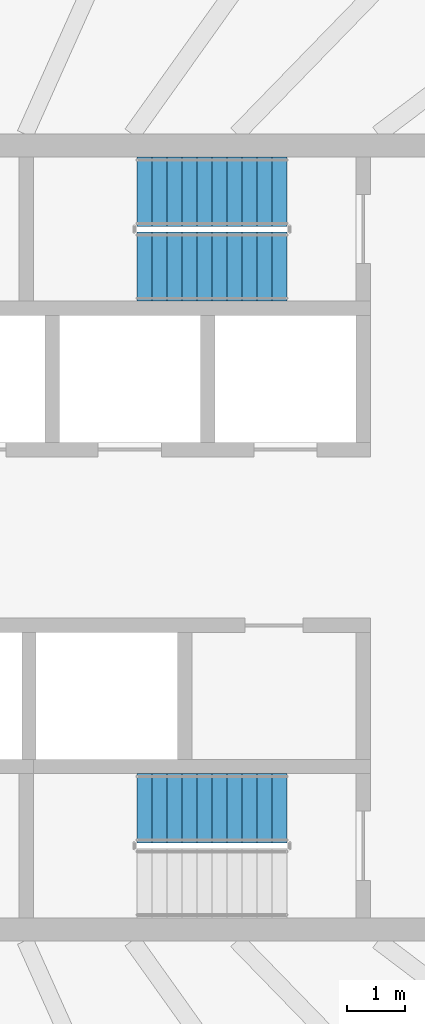
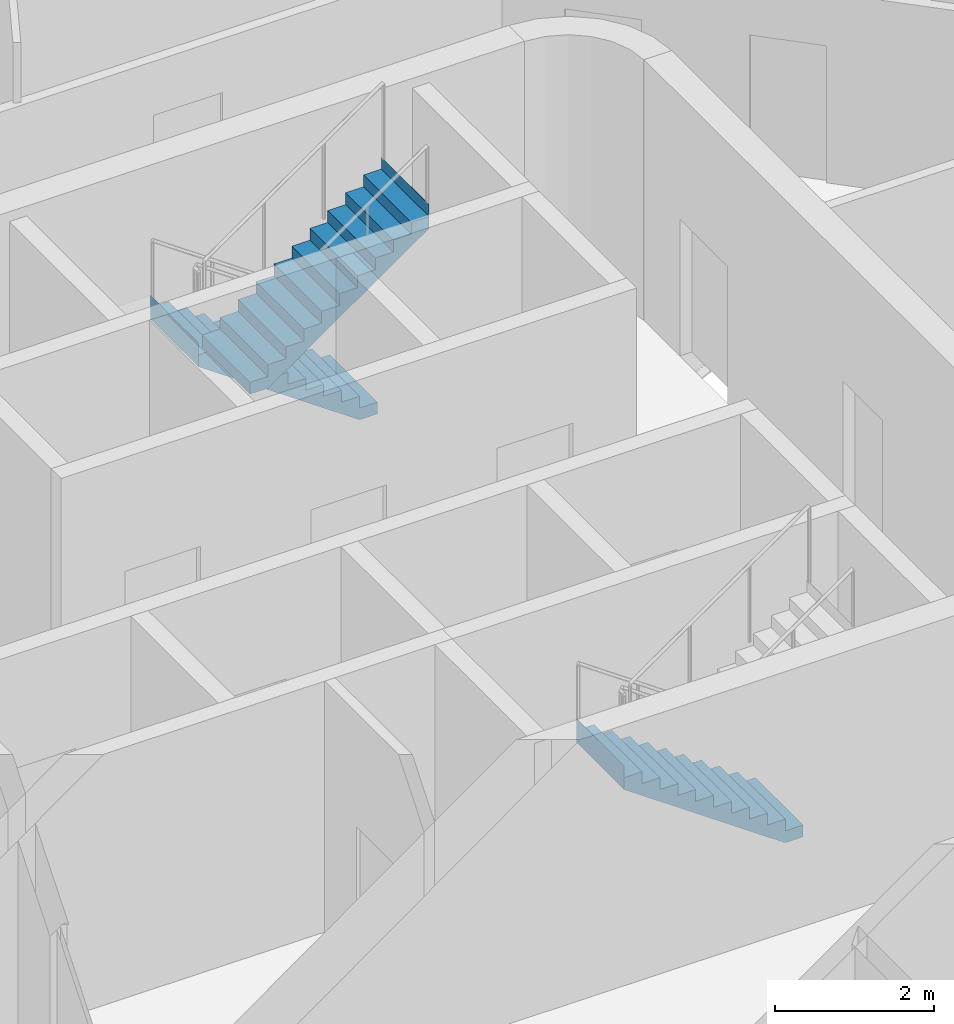
# One storey, part 15 of 21: 3 stair flights, 2 elements without a shape of their own.
"""IFC4 building model written with IfcOpenShell, lengths in metres."""

from ifc_helpers import new_model, si_unit, direction, frame, origin, place, context, subcontext, project, spatial, triangles, material, type_object, element, aggregate, save


model = new_model("IFC4")

# Units and contexts
model_context = context("Model", 3, precision=1e-05, world=origin(), true_north=direction((0.0, 1.0)))
body_context = subcontext(model_context, "Body", "Model", "MODEL_VIEW")
ifc_project = project(units=[si_unit("LENGTHUNIT", "METRE"), si_unit("AREAUNIT", "SQUARE_METRE"), si_unit("VOLUMEUNIT", "CUBIC_METRE"), si_unit("PLANEANGLEUNIT", "RADIAN"), si_unit("MASSUNIT", "GRAM", prefix="KILO")], contexts=[model_context])

# Site, building, storey
site_placement = place(None, origin())
site = spatial("IfcSite", under=ifc_project, at=site_placement, CompositionType="ELEMENT")
building_placement = place(site_placement, origin())
building = spatial("IfcBuilding", under=site, at=building_placement, Name="Sahrelin Media Tower", CompositionType="ELEMENT")
storey_placement = place(building_placement, frame((0.0, 0.0, 263.0)))
storey = spatial("IfcBuildingStorey", under=building, at=storey_placement, Name="L57", CompositionType="ELEMENT", Elevation=263.0)

# Stair, stair flights
ifc_material = material(Name="Concrete C40/50", Category="concrete")
stair_type = type_object("IfcStairType", Name="Exit stair 1200", PredefinedType="HALF_TURN_STAIR", material=ifc_material)
placement = place(storey_placement, origin())
stair_1 = element("IfcStair", 1, at=placement, inside=storey, type_object=stair_type, Name="L57 Exit stair ST3", PredefinedType="HALF_TURN_STAIR")
stair_flight_type = type_object("IfcStairFlightType", Name="Stair flight 1200", PredefinedType="STRAIGHT", material=ifc_material)
stair_flight_1_placement = place(storey_placement, frame((7.675048828125, 6.0, 0.0), z_axis=(0.0, 0.0, 1.0), x_axis=(-1.0, 0.0, 0.0)))
stair_flight_1 = element("IfcStairFlight", 2, at=stair_flight_1_placement, type_object=stair_flight_type, Name="ST3 flight 1", NumberOfRisers=11, NumberOfTreads=10, PredefinedType="STRAIGHT", RiserHeight=0.181818182, TreadLength=0.26, context=body_context, shape_type="Tessellation", body=[
    triangles([(0.261474609375, 0.60009765625, 0.0), (0.261474609375, 0.300048828125, 0.0), (0.261474609375, 0.0, 0.0), (0.261474609375, -0.300048828125, 0.0), (0.261474609375, -0.60009765625, 0.0), (2.60009765625, 0.60009765625, 1.63525390625), (2.60009765625, 0.300048828125, 1.63525390625), (2.60009765625, 0.0, 1.63525390625), (2.60009765625, -0.300048828125, 1.63525390625), (2.60009765625, -0.60009765625, 1.63525390625), (2.60009765625, 0.60009765625, 2.0), (2.60009765625, 0.300048828125, 2.0), (2.60009765625, 0.0, 2.0), (2.60009765625, -0.300048828125, 2.0), (2.60009765625, -0.60009765625, 2.0), (2.597900390625, 0.60009765625, 2.0), (2.597900390625, 0.300048828125, 2.0), (2.597900390625, 0.0, 2.0), (2.597900390625, -0.300048828125, 2.0), (2.597900390625, -0.60009765625, 2.0), (2.597900390625, 0.60009765625, 1.818115234375), (2.597900390625, 0.300048828125, 1.818115234375), (2.597900390625, 0.0, 1.818115234375), (2.597900390625, -0.300048828125, 1.818115234375), (2.597900390625, -0.60009765625, 1.818115234375), (2.340087890625, 0.60009765625, 1.818115234375), (2.340087890625, 0.300048828125, 1.818115234375), (2.340087890625, 0.0, 1.818115234375), (2.340087890625, -0.300048828125, 1.818115234375), (2.340087890625, -0.60009765625, 1.818115234375), (2.340087890625, 0.60009765625, 1.636474609375), (2.340087890625, 0.300048828125, 1.636474609375), (2.340087890625, 0.0, 1.636474609375), (2.340087890625, -0.300048828125, 1.636474609375), (2.340087890625, -0.60009765625, 1.636474609375), (2.080078125, 0.60009765625, 1.636474609375), (2.080078125, 0.300048828125, 1.636474609375), (2.080078125, 0.0, 1.636474609375), (2.080078125, -0.300048828125, 1.636474609375), (2.080078125, -0.60009765625, 1.636474609375), (2.080078125, 0.60009765625, 1.45458984375), (2.080078125, 0.300048828125, 1.45458984375), (2.080078125, 0.0, 1.45458984375), (2.080078125, -0.300048828125, 1.45458984375), (2.080078125, -0.60009765625, 1.45458984375), (1.820068359375, 0.60009765625, 1.45458984375), (1.820068359375, 0.300048828125, 1.45458984375), (1.820068359375, 0.0, 1.45458984375), (1.820068359375, -0.300048828125, 1.45458984375), (1.820068359375, -0.60009765625, 1.45458984375), (1.820068359375, 0.60009765625, 1.272705078125), (1.820068359375, 0.300048828125, 1.272705078125), (1.820068359375, 0.0, 1.272705078125), (1.820068359375, -0.300048828125, 1.272705078125), (1.820068359375, -0.60009765625, 1.272705078125), (1.56005859375, 0.60009765625, 1.272705078125), (1.56005859375, 0.300048828125, 1.272705078125), (1.56005859375, 0.0, 1.272705078125), (1.56005859375, -0.300048828125, 1.272705078125), (1.56005859375, -0.60009765625, 1.272705078125), (1.56005859375, 0.60009765625, 1.0908203125), (1.56005859375, 0.300048828125, 1.0908203125), (1.56005859375, 0.0, 1.0908203125), (1.56005859375, -0.300048828125, 1.0908203125), (1.56005859375, -0.60009765625, 1.0908203125), (1.300048828125, 0.60009765625, 1.0908203125), (1.300048828125, 0.300048828125, 1.0908203125), (1.300048828125, 0.0, 1.0908203125), (1.300048828125, -0.300048828125, 1.0908203125), (1.300048828125, -0.60009765625, 1.0908203125), (1.300048828125, 0.60009765625, 0.9091796875), (1.300048828125, 0.300048828125, 0.9091796875), (1.300048828125, 0.0, 0.9091796875), (1.300048828125, -0.300048828125, 0.9091796875), (1.300048828125, -0.60009765625, 0.9091796875), (1.0400390625, 0.60009765625, 0.9091796875), (1.0400390625, 0.300048828125, 0.9091796875), (1.0400390625, 0.0, 0.9091796875), (1.0400390625, -0.300048828125, 0.9091796875), (1.0400390625, -0.60009765625, 0.9091796875), (1.0400390625, 0.60009765625, 0.727294921875), (1.0400390625, 0.300048828125, 0.727294921875), (1.0400390625, 0.0, 0.727294921875), (1.0400390625, -0.300048828125, 0.727294921875), (1.0400390625, -0.60009765625, 0.727294921875), (0.780029296875, 0.60009765625, 0.727294921875), (0.780029296875, 0.300048828125, 0.727294921875), (0.780029296875, 0.0, 0.727294921875), (0.780029296875, -0.300048828125, 0.727294921875), (0.780029296875, -0.60009765625, 0.727294921875), (0.780029296875, 0.60009765625, 0.54541015625), (0.780029296875, 0.300048828125, 0.54541015625), (0.780029296875, 0.0, 0.54541015625), (0.780029296875, -0.300048828125, 0.54541015625), (0.780029296875, -0.60009765625, 0.54541015625), (0.52001953125, 0.60009765625, 0.54541015625), (0.52001953125, 0.300048828125, 0.54541015625), (0.52001953125, 0.0, 0.54541015625), (0.52001953125, -0.300048828125, 0.54541015625), (0.52001953125, -0.60009765625, 0.54541015625), (0.52001953125, 0.60009765625, 0.363525390625), (0.52001953125, 0.300048828125, 0.363525390625), (0.52001953125, 0.0, 0.363525390625), (0.52001953125, -0.300048828125, 0.363525390625), (0.52001953125, -0.60009765625, 0.363525390625), (0.260009765625, 0.60009765625, 0.363525390625), (0.260009765625, 0.300048828125, 0.363525390625), (0.260009765625, 0.0, 0.363525390625), (0.260009765625, -0.300048828125, 0.363525390625), (0.260009765625, -0.60009765625, 0.363525390625), (0.260009765625, 0.60009765625, 0.181884765625), (0.260009765625, 0.300048828125, 0.181884765625), (0.260009765625, 0.0, 0.181884765625), (0.260009765625, -0.300048828125, 0.181884765625), (0.260009765625, -0.60009765625, 0.181884765625), (0.0, 0.60009765625, 0.181884765625), (0.0, 0.300048828125, 0.181884765625), (0.0, 0.0, 0.181884765625), (0.0, -0.300048828125, 0.181884765625), (0.0, -0.60009765625, 0.181884765625), (0.0, 0.60009765625, 0.0), (0.0, 0.300048828125, 0.0), (0.0, 0.0, 0.0), (0.0, -0.300048828125, 0.0), (0.0, -0.60009765625, 0.0)], [[1, 6, 7], [1, 7, 2], [2, 7, 8], [2, 8, 3], [3, 8, 9], [3, 9, 4], [4, 9, 10], [4, 10, 5], [6, 11, 12], [6, 12, 7], [7, 12, 13], [7, 13, 8], [8, 13, 14], [8, 14, 9], [9, 14, 15], [9, 15, 10], [11, 16, 17], [11, 17, 12], [12, 17, 18], [12, 18, 13], [13, 18, 19], [13, 19, 14], [14, 19, 20], [14, 20, 15], [16, 21, 22], [16, 22, 17], [17, 22, 23], [17, 23, 18], [18, 23, 24], [18, 24, 19], [19, 24, 25], [19, 25, 20], [21, 26, 27], [21, 27, 22], [22, 27, 28], [22, 28, 23], [23, 28, 29], [23, 29, 24], [24, 29, 30], [24, 30, 25], [26, 31, 32], [26, 32, 27], [27, 32, 33], [27, 33, 28], [28, 33, 34], [28, 34, 29], [29, 34, 35], [29, 35, 30], [31, 36, 37], [31, 37, 32], [32, 37, 38], [32, 38, 33], [33, 38, 39], [33, 39, 34], [34, 39, 40], [34, 40, 35], [36, 41, 42], [36, 42, 37], [37, 42, 43], [37, 43, 38], [38, 43, 44], [38, 44, 39], [39, 44, 45], [39, 45, 40], [41, 46, 47], [41, 47, 42], [42, 47, 48], [42, 48, 43], [43, 48, 49], [43, 49, 44], [44, 49, 50], [44, 50, 45], [46, 51, 52], [46, 52, 47], [47, 52, 53], [47, 53, 48], [48, 53, 54], [48, 54, 49], [49, 54, 55], [49, 55, 50], [51, 56, 57], [51, 57, 52], [52, 57, 58], [52, 58, 53], [53, 58, 59], [53, 59, 54], [54, 59, 60], [54, 60, 55], [56, 61, 62], [56, 62, 57], [57, 62, 63], [57, 63, 58], [58, 63, 64], [58, 64, 59], [59, 64, 65], [59, 65, 60], [61, 66, 67], [61, 67, 62], [62, 67, 68], [62, 68, 63], [63, 68, 69], [63, 69, 64], [64, 69, 70], [64, 70, 65], [66, 71, 72], [66, 72, 67], [67, 72, 73], [67, 73, 68], [68, 73, 74], [68, 74, 69], [69, 74, 75], [69, 75, 70], [71, 76, 77], [71, 77, 72], [72, 77, 78], [72, 78, 73], [73, 78, 79], [73, 79, 74], [74, 79, 80], [74, 80, 75], [76, 81, 82], [76, 82, 77], [77, 82, 83], [77, 83, 78], [78, 83, 84], [78, 84, 79], [79, 84, 85], [79, 85, 80], [81, 86, 87], [81, 87, 82], [82, 87, 88], [82, 88, 83], [83, 88, 89], [83, 89, 84], [84, 89, 90], [84, 90, 85], [86, 91, 92], [86, 92, 87], [87, 92, 93], [87, 93, 88], [88, 93, 94], [88, 94, 89], [89, 94, 95], [89, 95, 90], [91, 96, 97], [91, 97, 92], [92, 97, 98], [92, 98, 93], [93, 98, 99], [93, 99, 94], [94, 99, 100], [94, 100, 95], [96, 101, 102], [96, 102, 97], [97, 102, 103], [97, 103, 98], [98, 103, 104], [98, 104, 99], [99, 104, 105], [99, 105, 100], [101, 106, 107], [101, 107, 102], [102, 107, 108], [102, 108, 103], [103, 108, 109], [103, 109, 104], [104, 109, 110], [104, 110, 105], [106, 111, 112], [106, 112, 107], [107, 112, 113], [107, 113, 108], [108, 113, 114], [108, 114, 109], [109, 114, 115], [109, 115, 110], [111, 116, 117], [111, 117, 112], [112, 117, 118], [112, 118, 113], [113, 118, 119], [113, 119, 114], [114, 119, 120], [114, 120, 115], [116, 121, 122], [116, 122, 117], [117, 122, 123], [117, 123, 118], [118, 123, 124], [118, 124, 119], [119, 124, 125], [119, 125, 120], [121, 1, 2], [121, 2, 122], [122, 2, 3], [122, 3, 123], [123, 3, 4], [123, 4, 124], [124, 4, 5], [124, 5, 125], [115, 120, 125], [111, 121, 116], [115, 105, 110], [111, 106, 101], [105, 95, 100], [101, 96, 91], [95, 85, 90], [91, 86, 81], [85, 75, 80], [81, 76, 71], [75, 65, 70], [71, 66, 61], [65, 55, 60], [61, 56, 51], [55, 45, 50], [51, 46, 41], [45, 35, 40], [41, 36, 31], [35, 25, 30], [31, 26, 21], [25, 15, 20], [21, 16, 11], [125, 5, 115], [121, 111, 1], [25, 10, 15], [21, 11, 6], [105, 115, 5], [101, 1, 111], [35, 10, 25], [31, 21, 6], [95, 105, 5], [91, 1, 101], [45, 10, 35], [41, 31, 6], [85, 95, 5], [81, 1, 91], [55, 10, 45], [51, 41, 6], [75, 85, 5], [71, 1, 81], [65, 10, 55], [61, 51, 6], [5, 10, 75], [1, 71, 6], [75, 10, 65], [71, 61, 6]], closed=True),
])
stair_flight_2_placement = place(storey_placement, frame((5.074951171875, 4.699951171875, 2.0), z_axis=(0.0, 0.0, 1.0), x_axis=(1.0, 0.0, 0.0)))
stair_flight_2 = element("IfcStairFlight", 3, at=stair_flight_2_placement, type_object=stair_flight_type, Name="ST3 flight 2", NumberOfRisers=11, NumberOfTreads=10, PredefinedType="STRAIGHT", RiserHeight=0.181818182, TreadLength=0.26, context=body_context, shape_type="Tessellation", body=[
    triangles([(0.261474609375, 0.60009765625, 0.0), (0.261474609375, 0.300048828125, 0.0), (0.261474609375, 0.0, 0.0), (0.261474609375, -0.300048828125, 0.0), (0.261474609375, -0.60009765625, 0.0), (2.60009765625, 0.60009765625, 1.63525390625), (2.60009765625, 0.300048828125, 1.63525390625), (2.60009765625, 0.0, 1.63525390625), (2.60009765625, -0.300048828125, 1.63525390625), (2.60009765625, -0.60009765625, 1.63525390625), (2.60009765625, 0.60009765625, 2.0), (2.60009765625, 0.300048828125, 2.0), (2.60009765625, 0.0, 2.0), (2.60009765625, -0.300048828125, 2.0), (2.60009765625, -0.60009765625, 2.0), (2.597900390625, 0.60009765625, 2.0), (2.597900390625, 0.300048828125, 2.0), (2.597900390625, 0.0, 2.0), (2.597900390625, -0.300048828125, 2.0), (2.597900390625, -0.60009765625, 2.0), (2.597900390625, 0.60009765625, 1.818115234375), (2.597900390625, 0.300048828125, 1.818115234375), (2.597900390625, 0.0, 1.818115234375), (2.597900390625, -0.300048828125, 1.818115234375), (2.597900390625, -0.60009765625, 1.818115234375), (2.340087890625, 0.60009765625, 1.818115234375), (2.340087890625, 0.300048828125, 1.818115234375), (2.340087890625, 0.0, 1.818115234375), (2.340087890625, -0.300048828125, 1.818115234375), (2.340087890625, -0.60009765625, 1.818115234375), (2.340087890625, 0.60009765625, 1.636474609375), (2.340087890625, 0.300048828125, 1.636474609375), (2.340087890625, 0.0, 1.636474609375), (2.340087890625, -0.300048828125, 1.636474609375), (2.340087890625, -0.60009765625, 1.636474609375), (2.080078125, 0.60009765625, 1.636474609375), (2.080078125, 0.300048828125, 1.636474609375), (2.080078125, 0.0, 1.636474609375), (2.080078125, -0.300048828125, 1.636474609375), (2.080078125, -0.60009765625, 1.636474609375), (2.080078125, 0.60009765625, 1.45458984375), (2.080078125, 0.300048828125, 1.45458984375), (2.080078125, 0.0, 1.45458984375), (2.080078125, -0.300048828125, 1.45458984375), (2.080078125, -0.60009765625, 1.45458984375), (1.820068359375, 0.60009765625, 1.45458984375), (1.820068359375, 0.300048828125, 1.45458984375), (1.820068359375, 0.0, 1.45458984375), (1.820068359375, -0.300048828125, 1.45458984375), (1.820068359375, -0.60009765625, 1.45458984375), (1.820068359375, 0.60009765625, 1.272705078125), (1.820068359375, 0.300048828125, 1.272705078125), (1.820068359375, 0.0, 1.272705078125), (1.820068359375, -0.300048828125, 1.272705078125), (1.820068359375, -0.60009765625, 1.272705078125), (1.56005859375, 0.60009765625, 1.272705078125), (1.56005859375, 0.300048828125, 1.272705078125), (1.56005859375, 0.0, 1.272705078125), (1.56005859375, -0.300048828125, 1.272705078125), (1.56005859375, -0.60009765625, 1.272705078125), (1.56005859375, 0.60009765625, 1.0908203125), (1.56005859375, 0.300048828125, 1.0908203125), (1.56005859375, 0.0, 1.0908203125), (1.56005859375, -0.300048828125, 1.0908203125), (1.56005859375, -0.60009765625, 1.0908203125), (1.300048828125, 0.60009765625, 1.0908203125), (1.300048828125, 0.300048828125, 1.0908203125), (1.300048828125, 0.0, 1.0908203125), (1.300048828125, -0.300048828125, 1.0908203125), (1.300048828125, -0.60009765625, 1.0908203125), (1.300048828125, 0.60009765625, 0.9091796875), (1.300048828125, 0.300048828125, 0.9091796875), (1.300048828125, 0.0, 0.9091796875), (1.300048828125, -0.300048828125, 0.9091796875), (1.300048828125, -0.60009765625, 0.9091796875), (1.0400390625, 0.60009765625, 0.9091796875), (1.0400390625, 0.300048828125, 0.9091796875), (1.0400390625, 0.0, 0.9091796875), (1.0400390625, -0.300048828125, 0.9091796875), (1.0400390625, -0.60009765625, 0.9091796875), (1.0400390625, 0.60009765625, 0.727294921875), (1.0400390625, 0.300048828125, 0.727294921875), (1.0400390625, 0.0, 0.727294921875), (1.0400390625, -0.300048828125, 0.727294921875), (1.0400390625, -0.60009765625, 0.727294921875), (0.780029296875, 0.60009765625, 0.727294921875), (0.780029296875, 0.300048828125, 0.727294921875), (0.780029296875, 0.0, 0.727294921875), (0.780029296875, -0.300048828125, 0.727294921875), (0.780029296875, -0.60009765625, 0.727294921875), (0.780029296875, 0.60009765625, 0.54541015625), (0.780029296875, 0.300048828125, 0.54541015625), (0.780029296875, 0.0, 0.54541015625), (0.780029296875, -0.300048828125, 0.54541015625), (0.780029296875, -0.60009765625, 0.54541015625), (0.52001953125, 0.60009765625, 0.54541015625), (0.52001953125, 0.300048828125, 0.54541015625), (0.52001953125, 0.0, 0.54541015625), (0.52001953125, -0.300048828125, 0.54541015625), (0.52001953125, -0.60009765625, 0.54541015625), (0.52001953125, 0.60009765625, 0.363525390625), (0.52001953125, 0.300048828125, 0.363525390625), (0.52001953125, 0.0, 0.363525390625), (0.52001953125, -0.300048828125, 0.363525390625), (0.52001953125, -0.60009765625, 0.363525390625), (0.260009765625, 0.60009765625, 0.363525390625), (0.260009765625, 0.300048828125, 0.363525390625), (0.260009765625, 0.0, 0.363525390625), (0.260009765625, -0.300048828125, 0.363525390625), (0.260009765625, -0.60009765625, 0.363525390625), (0.260009765625, 0.60009765625, 0.181884765625), (0.260009765625, 0.300048828125, 0.181884765625), (0.260009765625, 0.0, 0.181884765625), (0.260009765625, -0.300048828125, 0.181884765625), (0.260009765625, -0.60009765625, 0.181884765625), (0.0, 0.60009765625, 0.181884765625), (0.0, 0.300048828125, 0.181884765625), (0.0, 0.0, 0.181884765625), (0.0, -0.300048828125, 0.181884765625), (0.0, -0.60009765625, 0.181884765625), (0.0, 0.60009765625, 0.0), (0.0, 0.300048828125, 0.0), (0.0, 0.0, 0.0), (0.0, -0.300048828125, 0.0), (0.0, -0.60009765625, 0.0)], [[1, 6, 7], [1, 7, 2], [2, 7, 8], [2, 8, 3], [3, 8, 9], [3, 9, 4], [4, 9, 10], [4, 10, 5], [6, 11, 12], [6, 12, 7], [7, 12, 13], [7, 13, 8], [8, 13, 14], [8, 14, 9], [9, 14, 15], [9, 15, 10], [11, 16, 17], [11, 17, 12], [12, 17, 18], [12, 18, 13], [13, 18, 19], [13, 19, 14], [14, 19, 20], [14, 20, 15], [16, 21, 22], [16, 22, 17], [17, 22, 23], [17, 23, 18], [18, 23, 24], [18, 24, 19], [19, 24, 25], [19, 25, 20], [21, 26, 27], [21, 27, 22], [22, 27, 28], [22, 28, 23], [23, 28, 29], [23, 29, 24], [24, 29, 30], [24, 30, 25], [26, 31, 32], [26, 32, 27], [27, 32, 33], [27, 33, 28], [28, 33, 34], [28, 34, 29], [29, 34, 35], [29, 35, 30], [31, 36, 37], [31, 37, 32], [32, 37, 38], [32, 38, 33], [33, 38, 39], [33, 39, 34], [34, 39, 40], [34, 40, 35], [36, 41, 42], [36, 42, 37], [37, 42, 43], [37, 43, 38], [38, 43, 44], [38, 44, 39], [39, 44, 45], [39, 45, 40], [41, 46, 47], [41, 47, 42], [42, 47, 48], [42, 48, 43], [43, 48, 49], [43, 49, 44], [44, 49, 50], [44, 50, 45], [46, 51, 52], [46, 52, 47], [47, 52, 53], [47, 53, 48], [48, 53, 54], [48, 54, 49], [49, 54, 55], [49, 55, 50], [51, 56, 57], [51, 57, 52], [52, 57, 58], [52, 58, 53], [53, 58, 59], [53, 59, 54], [54, 59, 60], [54, 60, 55], [56, 61, 62], [56, 62, 57], [57, 62, 63], [57, 63, 58], [58, 63, 64], [58, 64, 59], [59, 64, 65], [59, 65, 60], [61, 66, 67], [61, 67, 62], [62, 67, 68], [62, 68, 63], [63, 68, 69], [63, 69, 64], [64, 69, 70], [64, 70, 65], [66, 71, 72], [66, 72, 67], [67, 72, 73], [67, 73, 68], [68, 73, 74], [68, 74, 69], [69, 74, 75], [69, 75, 70], [71, 76, 77], [71, 77, 72], [72, 77, 78], [72, 78, 73], [73, 78, 79], [73, 79, 74], [74, 79, 80], [74, 80, 75], [76, 81, 82], [76, 82, 77], [77, 82, 83], [77, 83, 78], [78, 83, 84], [78, 84, 79], [79, 84, 85], [79, 85, 80], [81, 86, 87], [81, 87, 82], [82, 87, 88], [82, 88, 83], [83, 88, 89], [83, 89, 84], [84, 89, 90], [84, 90, 85], [86, 91, 92], [86, 92, 87], [87, 92, 93], [87, 93, 88], [88, 93, 94], [88, 94, 89], [89, 94, 95], [89, 95, 90], [91, 96, 97], [91, 97, 92], [92, 97, 98], [92, 98, 93], [93, 98, 99], [93, 99, 94], [94, 99, 100], [94, 100, 95], [96, 101, 102], [96, 102, 97], [97, 102, 103], [97, 103, 98], [98, 103, 104], [98, 104, 99], [99, 104, 105], [99, 105, 100], [101, 106, 107], [101, 107, 102], [102, 107, 108], [102, 108, 103], [103, 108, 109], [103, 109, 104], [104, 109, 110], [104, 110, 105], [106, 111, 112], [106, 112, 107], [107, 112, 113], [107, 113, 108], [108, 113, 114], [108, 114, 109], [109, 114, 115], [109, 115, 110], [111, 116, 117], [111, 117, 112], [112, 117, 118], [112, 118, 113], [113, 118, 119], [113, 119, 114], [114, 119, 120], [114, 120, 115], [116, 121, 122], [116, 122, 117], [117, 122, 123], [117, 123, 118], [118, 123, 124], [118, 124, 119], [119, 124, 125], [119, 125, 120], [121, 1, 2], [121, 2, 122], [122, 2, 3], [122, 3, 123], [123, 3, 4], [123, 4, 124], [124, 4, 5], [124, 5, 125], [115, 120, 125], [111, 121, 116], [115, 105, 110], [111, 106, 101], [105, 95, 100], [101, 96, 91], [95, 85, 90], [91, 86, 81], [85, 75, 80], [81, 76, 71], [75, 65, 70], [71, 66, 61], [65, 55, 60], [61, 56, 51], [55, 45, 50], [51, 46, 41], [45, 35, 40], [41, 36, 31], [35, 25, 30], [31, 26, 21], [25, 15, 20], [21, 16, 11], [125, 5, 115], [121, 111, 1], [25, 10, 15], [21, 11, 6], [105, 115, 5], [101, 1, 111], [35, 10, 25], [31, 21, 6], [95, 105, 5], [91, 1, 101], [45, 10, 35], [41, 31, 6], [85, 95, 5], [81, 1, 91], [55, 10, 45], [51, 41, 6], [75, 85, 5], [71, 1, 81], [65, 10, 55], [61, 51, 6], [5, 10, 75], [1, 71, 6], [75, 10, 65], [71, 61, 6]], closed=True),
])
aggregate(stair_1, [stair_flight_1, stair_flight_2])

# Stair, stair flight
stair_2 = element("IfcStair", 4, at=placement, inside=storey, type_object=stair_type, Name="L57 Exit stair ST2", PredefinedType="HALF_TURN_STAIR")
stair_flight_3_placement = place(storey_placement, frame((7.675048828125, -4.699951171875, 0.0), z_axis=(0.0, 0.0, 1.0), x_axis=(-1.0, 0.0, 0.0)))
stair_flight_3 = element("IfcStairFlight", 5, at=stair_flight_3_placement, type_object=stair_flight_type, Name="ST2 flight 1", NumberOfRisers=11, NumberOfTreads=10, PredefinedType="STRAIGHT", RiserHeight=0.181818182, TreadLength=0.26, context=body_context, shape_type="Tessellation", body=[
    triangles([(0.261474609375, 0.60009765625, 0.0), (0.261474609375, 0.300048828125, 0.0), (0.261474609375, 0.0, 0.0), (0.261474609375, -0.300048828125, 0.0), (0.261474609375, -0.60009765625, 0.0), (2.60009765625, 0.60009765625, 1.63525390625), (2.60009765625, 0.300048828125, 1.63525390625), (2.60009765625, 0.0, 1.63525390625), (2.60009765625, -0.300048828125, 1.63525390625), (2.60009765625, -0.60009765625, 1.63525390625), (2.60009765625, 0.60009765625, 2.0), (2.60009765625, 0.300048828125, 2.0), (2.60009765625, 0.0, 2.0), (2.60009765625, -0.300048828125, 2.0), (2.60009765625, -0.60009765625, 2.0), (2.597900390625, 0.60009765625, 2.0), (2.597900390625, 0.300048828125, 2.0), (2.597900390625, 0.0, 2.0), (2.597900390625, -0.300048828125, 2.0), (2.597900390625, -0.60009765625, 2.0), (2.597900390625, 0.60009765625, 1.818115234375), (2.597900390625, 0.300048828125, 1.818115234375), (2.597900390625, 0.0, 1.818115234375), (2.597900390625, -0.300048828125, 1.818115234375), (2.597900390625, -0.60009765625, 1.818115234375), (2.340087890625, 0.60009765625, 1.818115234375), (2.340087890625, 0.300048828125, 1.818115234375), (2.340087890625, 0.0, 1.818115234375), (2.340087890625, -0.300048828125, 1.818115234375), (2.340087890625, -0.60009765625, 1.818115234375), (2.340087890625, 0.60009765625, 1.636474609375), (2.340087890625, 0.300048828125, 1.636474609375), (2.340087890625, 0.0, 1.636474609375), (2.340087890625, -0.300048828125, 1.636474609375), (2.340087890625, -0.60009765625, 1.636474609375), (2.080078125, 0.60009765625, 1.636474609375), (2.080078125, 0.300048828125, 1.636474609375), (2.080078125, 0.0, 1.636474609375), (2.080078125, -0.300048828125, 1.636474609375), (2.080078125, -0.60009765625, 1.636474609375), (2.080078125, 0.60009765625, 1.45458984375), (2.080078125, 0.300048828125, 1.45458984375), (2.080078125, 0.0, 1.45458984375), (2.080078125, -0.300048828125, 1.45458984375), (2.080078125, -0.60009765625, 1.45458984375), (1.820068359375, 0.60009765625, 1.45458984375), (1.820068359375, 0.300048828125, 1.45458984375), (1.820068359375, 0.0, 1.45458984375), (1.820068359375, -0.300048828125, 1.45458984375), (1.820068359375, -0.60009765625, 1.45458984375), (1.820068359375, 0.60009765625, 1.272705078125), (1.820068359375, 0.300048828125, 1.272705078125), (1.820068359375, 0.0, 1.272705078125), (1.820068359375, -0.300048828125, 1.272705078125), (1.820068359375, -0.60009765625, 1.272705078125), (1.56005859375, 0.60009765625, 1.272705078125), (1.56005859375, 0.300048828125, 1.272705078125), (1.56005859375, 0.0, 1.272705078125), (1.56005859375, -0.300048828125, 1.272705078125), (1.56005859375, -0.60009765625, 1.272705078125), (1.56005859375, 0.60009765625, 1.0908203125), (1.56005859375, 0.300048828125, 1.0908203125), (1.56005859375, 0.0, 1.0908203125), (1.56005859375, -0.300048828125, 1.0908203125), (1.56005859375, -0.60009765625, 1.0908203125), (1.300048828125, 0.60009765625, 1.0908203125), (1.300048828125, 0.300048828125, 1.0908203125), (1.300048828125, 0.0, 1.0908203125), (1.300048828125, -0.300048828125, 1.0908203125), (1.300048828125, -0.60009765625, 1.0908203125), (1.300048828125, 0.60009765625, 0.9091796875), (1.300048828125, 0.300048828125, 0.9091796875), (1.300048828125, 0.0, 0.9091796875), (1.300048828125, -0.300048828125, 0.9091796875), (1.300048828125, -0.60009765625, 0.9091796875), (1.0400390625, 0.60009765625, 0.9091796875), (1.0400390625, 0.300048828125, 0.9091796875), (1.0400390625, 0.0, 0.9091796875), (1.0400390625, -0.300048828125, 0.9091796875), (1.0400390625, -0.60009765625, 0.9091796875), (1.0400390625, 0.60009765625, 0.727294921875), (1.0400390625, 0.300048828125, 0.727294921875), (1.0400390625, 0.0, 0.727294921875), (1.0400390625, -0.300048828125, 0.727294921875), (1.0400390625, -0.60009765625, 0.727294921875), (0.780029296875, 0.60009765625, 0.727294921875), (0.780029296875, 0.300048828125, 0.727294921875), (0.780029296875, 0.0, 0.727294921875), (0.780029296875, -0.300048828125, 0.727294921875), (0.780029296875, -0.60009765625, 0.727294921875), (0.780029296875, 0.60009765625, 0.54541015625), (0.780029296875, 0.300048828125, 0.54541015625), (0.780029296875, 0.0, 0.54541015625), (0.780029296875, -0.300048828125, 0.54541015625), (0.780029296875, -0.60009765625, 0.54541015625), (0.52001953125, 0.60009765625, 0.54541015625), (0.52001953125, 0.300048828125, 0.54541015625), (0.52001953125, 0.0, 0.54541015625), (0.52001953125, -0.300048828125, 0.54541015625), (0.52001953125, -0.60009765625, 0.54541015625), (0.52001953125, 0.60009765625, 0.363525390625), (0.52001953125, 0.300048828125, 0.363525390625), (0.52001953125, 0.0, 0.363525390625), (0.52001953125, -0.300048828125, 0.363525390625), (0.52001953125, -0.60009765625, 0.363525390625), (0.260009765625, 0.60009765625, 0.363525390625), (0.260009765625, 0.300048828125, 0.363525390625), (0.260009765625, 0.0, 0.363525390625), (0.260009765625, -0.300048828125, 0.363525390625), (0.260009765625, -0.60009765625, 0.363525390625), (0.260009765625, 0.60009765625, 0.181884765625), (0.260009765625, 0.300048828125, 0.181884765625), (0.260009765625, 0.0, 0.181884765625), (0.260009765625, -0.300048828125, 0.181884765625), (0.260009765625, -0.60009765625, 0.181884765625), (0.0, 0.60009765625, 0.181884765625), (0.0, 0.300048828125, 0.181884765625), (0.0, 0.0, 0.181884765625), (0.0, -0.300048828125, 0.181884765625), (0.0, -0.60009765625, 0.181884765625), (0.0, 0.60009765625, 0.0), (0.0, 0.300048828125, 0.0), (0.0, 0.0, 0.0), (0.0, -0.300048828125, 0.0), (0.0, -0.60009765625, 0.0)], [[1, 6, 7], [1, 7, 2], [2, 7, 8], [2, 8, 3], [3, 8, 9], [3, 9, 4], [4, 9, 10], [4, 10, 5], [6, 11, 12], [6, 12, 7], [7, 12, 13], [7, 13, 8], [8, 13, 14], [8, 14, 9], [9, 14, 15], [9, 15, 10], [11, 16, 17], [11, 17, 12], [12, 17, 18], [12, 18, 13], [13, 18, 19], [13, 19, 14], [14, 19, 20], [14, 20, 15], [16, 21, 22], [16, 22, 17], [17, 22, 23], [17, 23, 18], [18, 23, 24], [18, 24, 19], [19, 24, 25], [19, 25, 20], [21, 26, 27], [21, 27, 22], [22, 27, 28], [22, 28, 23], [23, 28, 29], [23, 29, 24], [24, 29, 30], [24, 30, 25], [26, 31, 32], [26, 32, 27], [27, 32, 33], [27, 33, 28], [28, 33, 34], [28, 34, 29], [29, 34, 35], [29, 35, 30], [31, 36, 37], [31, 37, 32], [32, 37, 38], [32, 38, 33], [33, 38, 39], [33, 39, 34], [34, 39, 40], [34, 40, 35], [36, 41, 42], [36, 42, 37], [37, 42, 43], [37, 43, 38], [38, 43, 44], [38, 44, 39], [39, 44, 45], [39, 45, 40], [41, 46, 47], [41, 47, 42], [42, 47, 48], [42, 48, 43], [43, 48, 49], [43, 49, 44], [44, 49, 50], [44, 50, 45], [46, 51, 52], [46, 52, 47], [47, 52, 53], [47, 53, 48], [48, 53, 54], [48, 54, 49], [49, 54, 55], [49, 55, 50], [51, 56, 57], [51, 57, 52], [52, 57, 58], [52, 58, 53], [53, 58, 59], [53, 59, 54], [54, 59, 60], [54, 60, 55], [56, 61, 62], [56, 62, 57], [57, 62, 63], [57, 63, 58], [58, 63, 64], [58, 64, 59], [59, 64, 65], [59, 65, 60], [61, 66, 67], [61, 67, 62], [62, 67, 68], [62, 68, 63], [63, 68, 69], [63, 69, 64], [64, 69, 70], [64, 70, 65], [66, 71, 72], [66, 72, 67], [67, 72, 73], [67, 73, 68], [68, 73, 74], [68, 74, 69], [69, 74, 75], [69, 75, 70], [71, 76, 77], [71, 77, 72], [72, 77, 78], [72, 78, 73], [73, 78, 79], [73, 79, 74], [74, 79, 80], [74, 80, 75], [76, 81, 82], [76, 82, 77], [77, 82, 83], [77, 83, 78], [78, 83, 84], [78, 84, 79], [79, 84, 85], [79, 85, 80], [81, 86, 87], [81, 87, 82], [82, 87, 88], [82, 88, 83], [83, 88, 89], [83, 89, 84], [84, 89, 90], [84, 90, 85], [86, 91, 92], [86, 92, 87], [87, 92, 93], [87, 93, 88], [88, 93, 94], [88, 94, 89], [89, 94, 95], [89, 95, 90], [91, 96, 97], [91, 97, 92], [92, 97, 98], [92, 98, 93], [93, 98, 99], [93, 99, 94], [94, 99, 100], [94, 100, 95], [96, 101, 102], [96, 102, 97], [97, 102, 103], [97, 103, 98], [98, 103, 104], [98, 104, 99], [99, 104, 105], [99, 105, 100], [101, 106, 107], [101, 107, 102], [102, 107, 108], [102, 108, 103], [103, 108, 109], [103, 109, 104], [104, 109, 110], [104, 110, 105], [106, 111, 112], [106, 112, 107], [107, 112, 113], [107, 113, 108], [108, 113, 114], [108, 114, 109], [109, 114, 115], [109, 115, 110], [111, 116, 117], [111, 117, 112], [112, 117, 118], [112, 118, 113], [113, 118, 119], [113, 119, 114], [114, 119, 120], [114, 120, 115], [116, 121, 122], [116, 122, 117], [117, 122, 123], [117, 123, 118], [118, 123, 124], [118, 124, 119], [119, 124, 125], [119, 125, 120], [121, 1, 2], [121, 2, 122], [122, 2, 3], [122, 3, 123], [123, 3, 4], [123, 4, 124], [124, 4, 5], [124, 5, 125], [115, 120, 125], [111, 121, 116], [115, 105, 110], [111, 106, 101], [105, 95, 100], [101, 96, 91], [95, 85, 90], [91, 86, 81], [85, 75, 80], [81, 76, 71], [75, 65, 70], [71, 66, 61], [65, 55, 60], [61, 56, 51], [55, 45, 50], [51, 46, 41], [45, 35, 40], [41, 36, 31], [35, 25, 30], [31, 26, 21], [25, 15, 20], [21, 16, 11], [125, 5, 115], [121, 111, 1], [25, 10, 15], [21, 11, 6], [105, 115, 5], [101, 1, 111], [35, 10, 25], [31, 21, 6], [95, 105, 5], [91, 1, 101], [45, 10, 35], [41, 31, 6], [85, 95, 5], [81, 1, 91], [55, 10, 45], [51, 41, 6], [75, 85, 5], [71, 1, 81], [65, 10, 55], [61, 51, 6], [5, 10, 75], [1, 71, 6], [75, 10, 65], [71, 61, 6]], closed=True),
])
aggregate(stair_2, [stair_flight_3])

save(model, "model.ifc")
